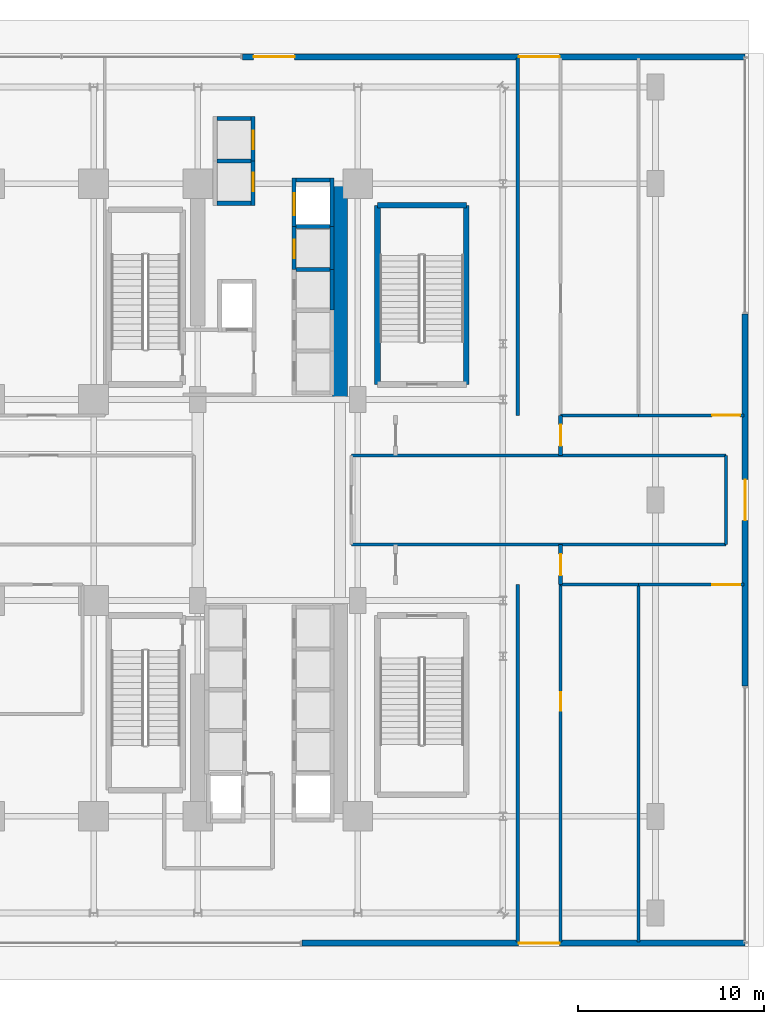
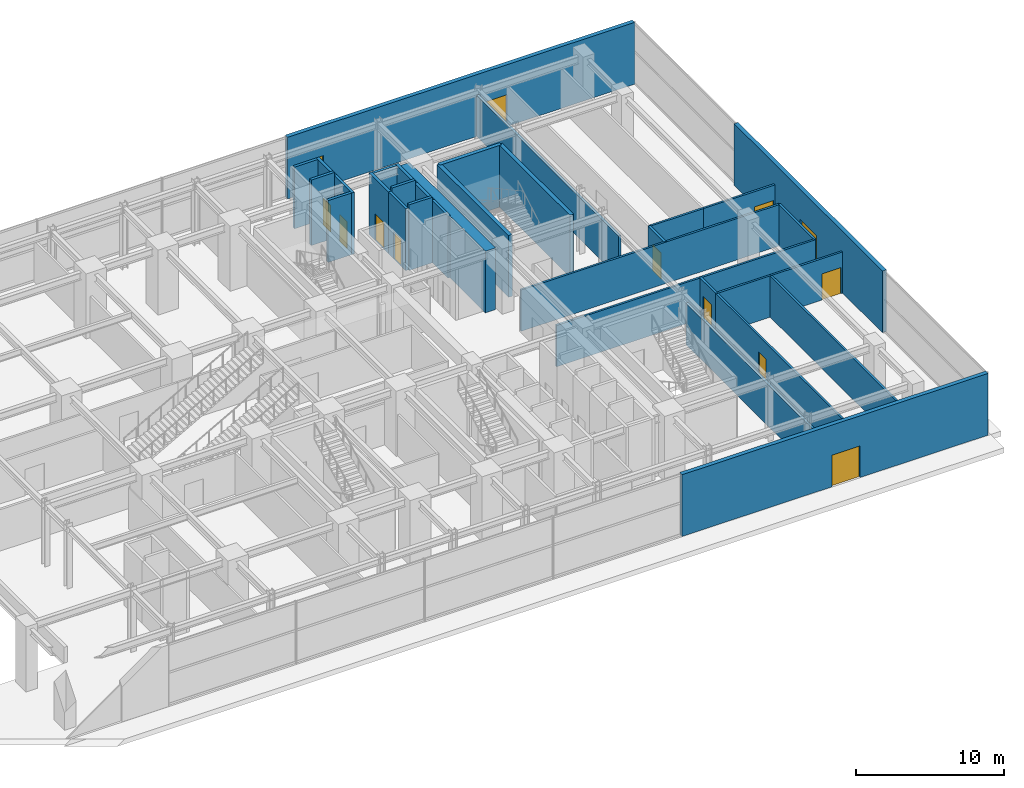
# One storey, part 25 of 29: 33 walls, 13 doors, 13 openings.
"""IFC4 building model written with IfcOpenShell, lengths in metres."""

from ifc_helpers import new_model, si_unit, direction, frame, frame_2d, origin, place, context, subcontext, project, spatial, rectangle, extrude, source, transform, mapped, material, layer, layer_set, type_object, element, fill, save


model = new_model("IFC4")

# Units and contexts
model_context = context("Model", 3, precision=1e-05, world=origin(), true_north=direction((0.0, 1.0)))
body_context = subcontext(model_context, "Body", "Model", "MODEL_VIEW")
ifc_project = project(units=[si_unit("LENGTHUNIT", "METRE"), si_unit("AREAUNIT", "SQUARE_METRE"), si_unit("VOLUMEUNIT", "CUBIC_METRE"), si_unit("PLANEANGLEUNIT", "RADIAN"), si_unit("MASSUNIT", "GRAM", prefix="KILO")], contexts=[model_context])

# Site, building, storey
site_placement = place(None, origin())
site = spatial("IfcSite", under=ifc_project, at=site_placement, CompositionType="ELEMENT")
building_placement = place(site_placement, origin())
building = spatial("IfcBuilding", under=site, at=building_placement, Name="Nahalor Promenade Grand Hotel", CompositionType="ELEMENT")
storey_placement = place(building_placement, origin())
storey = spatial("IfcBuildingStorey", under=building, at=storey_placement, Name="L00", CompositionType="ELEMENT", Elevation=0.0)

# Walls
ifc_material_1 = material(Name="Concrete B-70 (C60/75)", Category="concrete")
ifc_layer_1 = layer(ifc_material_1, 0.800048828125)
ifc_layer_set_1 = layer_set([ifc_layer_1], Name="Concrete B-70 (C60/75)")
wall_type_1 = type_object("IfcWallType", Name="Wall-CoreShear-800", PredefinedType="SHEAR", material=ifc_layer_set_1)
shared_shape_1 = source(origin(), body_context, "Body", "SweptSolid", [
    extrude(rectangle(XDim=11.60009765625, YDim=0.800048828125, at=frame_2d((5.800048828125, 0.0))), origin(), (0.0, 0.0, 1.0), 5.080078125),
])
wall_1_placement = place(storey_placement, frame((16.050048828125, 5.39990234375, 0.0), z_axis=(0.0, 0.0, 1.0), x_axis=(0.0, 1.0, 0.0)))
element("IfcWall", 1, at=wall_1_placement, inside=storey, type_object=wall_type_1, Name="CWALL-L00-NE", PredefinedType="SHEAR", context=body_context, shape_type="MappedRepresentation", body=[
    mapped(shared_shape_1, transform((0.0, 0.0, 0.0), scale=1.0)),
])
ifc_material_2 = material(Name="Concrete B-50 (C40/50)", Category="concrete")
ifc_layer_2 = layer(ifc_material_2, 0.300048828125)
ifc_layer_set_2 = layer_set([ifc_layer_2], Name="Concrete B-50 (C40/50)")
wall_type_2 = type_object("IfcWallType", Name="Wall-ShaftShear-300", PredefinedType="SHEAR", material=ifc_layer_set_2)
shared_shape_2 = source(origin(), body_context, "Body", "SweptSolid", [
    extrude(rectangle(XDim=4.780029296875, YDim=0.300048828125, at=frame_2d((2.39013671875, 0.0))), origin(), (0.0, 0.0, 1.0), 5.080078125),
])
wall_2_placement = place(storey_placement, frame((18.06005859375, 15.840087890625, 0.0), z_axis=(0.0, 0.0, 1.0), x_axis=(1.0, 0.0, 0.0)))
element("IfcWall", 2, at=wall_2_placement, inside=storey, type_object=wall_type_2, Name="L00 Exit Stair ST4 Shaft Wall N", PredefinedType="SHEAR", context=body_context, shape_type="MappedRepresentation", body=[
    mapped(shared_shape_2, transform((0.0, 0.0, 0.0), scale=1.0)),
])
shared_shape_3 = source(origin(), body_context, "Body", "SweptSolid", [
    extrude(rectangle(XDim=9.630126953125, YDim=0.300048828125, at=frame_2d((4.81494140625, 0.0))), origin(), (0.0, 0.0, 1.0), 5.080078125),
])
for number, where, z_axis, x_axis, name in (
    (3, (18.06005859375, 6.2099609375, 0.0), (0.0, 0.0, 1.0), (0.0, 1.0, 0.0), "L00 Exit Stair ST4 Shaft Wall W"),
    (4, (22.840087890625, 6.2099609375, 0.0), (0.0, 0.0, 1.0), (0.0, 1.0, 0.0), "L00 Exit Stair ST4 Shaft Wall E"),
):
    element("IfcWall", number, at=place(storey_placement, frame(where, z_axis=z_axis, x_axis=x_axis)), inside=storey, type_object=wall_type_2, Name=name, PredefinedType="SHEAR", context=body_context, shape_type="MappedRepresentation", body=[
        mapped(shared_shape_3, transform((0.0, 0.0, 0.0), scale=1.0)),
    ])
ifc_layer_3 = layer(ifc_material_2, 0.219970703125)
ifc_layer_set_3 = layer_set([ifc_layer_3], Name="Concrete B-50 (C40/50)")
wall_type_3 = type_object("IfcWallType", Name="Wall-LiftShaft-220", PredefinedType="SHEAR", material=ifc_layer_set_3)
shared_shape_4 = source(origin(), body_context, "Body", "SweptSolid", [
    extrude(rectangle(XDim=1.820068359375, YDim=0.219970703125, at=frame_2d((0.91015625, 0.0))), origin(), (0.0, 0.0, 1.0), 5.080078125),
])
for number, where, z_axis, x_axis, name in (
    (5, (9.43994140625, 15.949951171875, 0.0), (0.0, 0.0, 1.0), (1.0, 0.0, 0.0), "L00 Lift OB1 Hoistway Wall S"),
    (6, (9.43994140625, 20.5, 0.0), (0.0, 0.0, 1.0), (1.0, 0.0, 0.0), "L00 Lift OB2 Hoistway Wall N"),
    (7, (13.68994140625, 17.199951171875, 0.0), (0.0, 0.0, 1.0), (1.0, 0.0, 0.0), "L00 Lift SV1 Hoistway Wall N"),
):
    element("IfcWall", number, at=place(storey_placement, frame(where, z_axis=z_axis, x_axis=x_axis)), inside=storey, type_object=wall_type_3, Name=name, PredefinedType="SHEAR", context=body_context, shape_type="MappedRepresentation", body=[
        mapped(shared_shape_4, transform((0.0, 0.0, 0.0), scale=1.0)),
    ])
shared_shape_5 = source(origin(), body_context, "Body", "SweptSolid", [
    extrude(rectangle(XDim=1.820068359375, YDim=0.219970703125, at=frame_2d((0.91015625, 0.0))), origin(), (0.0, 0.0, 1.0), 5.39990234375),
])
for number, where, z_axis, x_axis, name in (
    (8, (13.68994140625, 12.39990234375, 0.0), (0.0, 0.0, 1.0), (1.0, 0.0, 0.0), "L00 Lift PL3 Hoistway Wall N"),
    (9, (13.68994140625, 14.699951171875, 0.0), (0.0, 0.0, 1.0), (1.0, 0.0, 0.0), "L00 Lift PL4 Hoistway Wall N"),
    (10, (9.43994140625, 18.22509765625, 0.0), (0.0, 0.0, 1.0), (1.0, 0.0, 0.0), "L00 Lift OB1 Hoistway Wall N"),
):
    element("IfcWall", number, at=place(storey_placement, frame(where, z_axis=z_axis, x_axis=x_axis)), inside=storey, type_object=wall_type_3, Name=name, PredefinedType="SHEAR", context=body_context, shape_type="MappedRepresentation", body=[
        mapped(shared_shape_5, transform((0.0, 0.0, 0.0), scale=1.0)),
    ])
shared_shape_6 = source(origin(), body_context, "Body", "SweptSolid", [
    extrude(rectangle(XDim=2.199951171875, YDim=0.219970703125, at=frame_2d((1.10009765625, 0.0))), origin(), (0.0, 0.0, 1.0), 5.080078125),
])
wall_3_placement = place(storey_placement, frame((15.6201171875, 10.199951171875, 0.0), z_axis=(0.0, 0.0, 1.0), x_axis=(0.0, 1.0, 0.0)))
element("IfcWall", 11, at=wall_3_placement, inside=storey, type_object=wall_type_3, Name="L00 Lift PL3 Hoistway Wall E", PredefinedType="SHEAR", context=body_context, shape_type="MappedRepresentation", body=[
    mapped(shared_shape_6, transform((0.0, 0.0, 0.0), scale=1.0)),
])

# Wall, opening, door
shared_shape_7 = source(origin(), body_context, "Body", "SweptSolid", [
    extrude(rectangle(XDim=2.300048828125, YDim=0.219970703125, at=frame_2d((1.14990234375, 0.0))), origin(), (0.0, 0.0, 1.0), 5.080078125),
])
wall_4_placement = place(storey_placement, frame((13.580078125, 12.39990234375, 0.0), z_axis=(0.0, 0.0, 1.0), x_axis=(0.0, 1.0, 0.0)))
wall_4 = element("IfcWall", 12, at=wall_4_placement, inside=storey, type_object=wall_type_3, Name="L00 Lift PL4 Hoistway Wall W", PredefinedType="SHEAR", context=body_context, shape_type="MappedRepresentation", body=[
    mapped(shared_shape_7, transform((0.0, 0.0, 0.0), scale=1.0)),
])
opening_1_placement = place(wall_4_placement, frame((0.60009765625, 0.0, 0.0)))
opening_1 = element("IfcOpeningElement", 13, at=opening_1_placement, cuts=wall_4, Name="Opening LD-01", PredefinedType="OPENING", context=body_context, shape_type="SweptSolid", body=[
    extrude(rectangle(XDim=1.0, YDim=2.199951171875, at=frame_2d((0.5, 1.10009765625))), frame((0.0, 0.119873046875, 0.0), z_axis=(0.0, -1.0, 0.0), x_axis=(1.0, 0.0, 0.0)), (0.0, 0.0, 1.0), 0.239990234375),
])
ifc_material_3 = material(Name="Steel S355JR", Category="steel")
door_type_1 = type_object("IfcDoorType", Name="Door-LiftLanding-1000", OperationType="DOUBLE_DOOR_SLIDING", PredefinedType="DOOR", material=ifc_material_3)
shared_shape_8 = source(origin(), body_context, "Body", "SweptSolid", [
    extrude(rectangle(XDim=1.0, YDim=2.199951171875, at=frame_2d((0.5, 1.10009765625))), frame((0.0, 0.02490234375, 0.0), z_axis=(0.0, -1.0, 0.0), x_axis=(1.0, 0.0, 0.0)), (0.0, 0.0, 1.0), 0.050048828125),
])
door_1_placement = place(opening_1_placement, origin())
door_1 = element("IfcDoor", 14, at=door_1_placement, inside=storey, type_object=door_type_1, Name="DR-LIFT-PL4-L00", OperationType="DOUBLE_DOOR_SLIDING", OverallHeight=2.199951171875, OverallWidth=1.0, PredefinedType="DOOR", context=body_context, shape_type="MappedRepresentation", body=[
    mapped(shared_shape_8, transform((0.0, 0.0, 0.0), scale=1.0)),
])
fill(opening_1, door_1)

# Wall
wall_5_placement = place(storey_placement, frame((15.6201171875, 12.39990234375, 0.0), z_axis=(0.0, 0.0, 1.0), x_axis=(0.0, 1.0, 0.0)))
element("IfcWall", 15, at=wall_5_placement, inside=storey, type_object=wall_type_3, Name="L00 Lift PL4 Hoistway Wall E", PredefinedType="SHEAR", context=body_context, shape_type="MappedRepresentation", body=[
    mapped(shared_shape_7, transform((0.0, 0.0, 0.0), scale=1.0)),
])

# Wall, opening, door
shared_shape_9 = source(origin(), body_context, "Body", "SweptSolid", [
    extrude(rectangle(XDim=2.385009765625, YDim=0.219970703125, at=frame_2d((1.1923828125, 0.0))), origin(), (0.0, 0.0, 1.0), 5.080078125),
])
wall_6_placement = place(storey_placement, frame((11.3701171875, 15.840087890625, 0.0), z_axis=(0.0, 0.0, 1.0), x_axis=(0.0, 1.0, 0.0)))
wall_6 = element("IfcWall", 16, at=wall_6_placement, inside=storey, type_object=wall_type_3, Name="L00 Lift OB1 Hoistway Wall E", PredefinedType="SHEAR", context=body_context, shape_type="MappedRepresentation", body=[
    mapped(shared_shape_9, transform((0.0, 0.0, 0.0), scale=1.0)),
])
opening_2_placement = place(wall_6_placement, frame((0.760009765625, 0.0, 0.0)))
opening_2 = element("IfcOpeningElement", 17, at=opening_2_placement, cuts=wall_6, Name="Opening LD-01", PredefinedType="OPENING", context=body_context, shape_type="SweptSolid", body=[
    extrude(rectangle(XDim=1.0, YDim=2.199951171875, at=frame_2d((0.5, 1.10009765625))), frame((0.0, 0.119873046875, 0.0), z_axis=(0.0, -1.0, 0.0), x_axis=(1.0, 0.0, 0.0)), (0.0, 0.0, 1.0), 0.239990234375),
])
door_2_placement = place(opening_2_placement, frame((1.0, 0.0, 0.0), z_axis=(0.0, 0.0, 1.0), x_axis=(-1.0, 0.0, 0.0)))
door_2 = element("IfcDoor", 18, at=door_2_placement, inside=storey, type_object=door_type_1, Name="DR-LIFT-OB1-L00", OperationType="DOUBLE_DOOR_SLIDING", OverallHeight=2.199951171875, OverallWidth=1.0, PredefinedType="DOOR", context=body_context, shape_type="MappedRepresentation", body=[
    mapped(shared_shape_8, transform((0.0, 0.0, 0.0), scale=1.0)),
])
fill(opening_2, door_2)

wall_7_placement = place(storey_placement, frame((11.3701171875, 18.22509765625, 0.0), z_axis=(0.0, 0.0, 1.0), x_axis=(0.0, 1.0, 0.0)))
wall_7 = element("IfcWall", 19, at=wall_7_placement, inside=storey, type_object=wall_type_3, Name="L00 Lift OB2 Hoistway Wall E", PredefinedType="SHEAR", context=body_context, shape_type="MappedRepresentation", body=[
    mapped(shared_shape_9, transform((0.0, 0.0, 0.0), scale=1.0)),
])
opening_3_placement = place(wall_7_placement, frame((0.625, 0.0, 0.0)))
opening_3 = element("IfcOpeningElement", 20, at=opening_3_placement, cuts=wall_7, Name="Opening LD-01", PredefinedType="OPENING", context=body_context, shape_type="SweptSolid", body=[
    extrude(rectangle(XDim=1.0, YDim=2.199951171875, at=frame_2d((0.5, 1.10009765625))), frame((0.0, 0.119873046875, 0.0), z_axis=(0.0, -1.0, 0.0), x_axis=(1.0, 0.0, 0.0)), (0.0, 0.0, 1.0), 0.239990234375),
])
door_3_placement = place(opening_3_placement, frame((1.0, 0.0, 0.0), z_axis=(0.0, 0.0, 1.0), x_axis=(-1.0, 0.0, 0.0)))
door_3 = element("IfcDoor", 21, at=door_3_placement, inside=storey, type_object=door_type_1, Name="DR-LIFT-OB2-L00", OperationType="DOUBLE_DOOR_SLIDING", OverallHeight=2.199951171875, OverallWidth=1.0, PredefinedType="DOOR", context=body_context, shape_type="MappedRepresentation", body=[
    mapped(shared_shape_8, transform((0.0, 0.0, 0.0), scale=1.0)),
])
fill(opening_3, door_3)

shared_shape_10 = source(origin(), body_context, "Body", "SweptSolid", [
    extrude(rectangle(XDim=2.610107421875, YDim=0.219970703125, at=frame_2d((1.30517578125, 0.0))), origin(), (0.0, 0.0, 1.0), 5.080078125),
])
wall_8_placement = place(storey_placement, frame((13.580078125, 14.699951171875, 0.0), z_axis=(0.0, 0.0, 1.0), x_axis=(0.0, 1.0, 0.0)))
wall_8 = element("IfcWall", 22, at=wall_8_placement, inside=storey, type_object=wall_type_3, Name="L00 Lift SV1 Hoistway Wall W", PredefinedType="SHEAR", context=body_context, shape_type="MappedRepresentation", body=[
    mapped(shared_shape_10, transform((0.0, 0.0, 0.0), scale=1.0)),
])
opening_4_placement = place(wall_8_placement, frame((0.60009765625, 0.0, 0.0)))
opening_4 = element("IfcOpeningElement", 23, at=opening_4_placement, cuts=wall_8, Name="Opening LD-03", PredefinedType="OPENING", context=body_context, shape_type="SweptSolid", body=[
    extrude(rectangle(XDim=1.199951171875, YDim=2.199951171875, at=frame_2d((0.60009765625, 1.10009765625))), frame((0.0, 0.119873046875, 0.0), z_axis=(0.0, -1.0, 0.0), x_axis=(1.0, 0.0, 0.0)), (0.0, 0.0, 1.0), 0.239990234375),
])
door_type_2 = type_object("IfcDoorType", Name="Door-LiftService-1200", OperationType="DOUBLE_DOOR_SLIDING", PredefinedType="DOOR", material=ifc_material_3)
shared_shape_11 = source(origin(), body_context, "Body", "SweptSolid", [
    extrude(rectangle(XDim=1.199951171875, YDim=2.199951171875, at=frame_2d((0.60009765625, 1.10009765625))), frame((0.0, 0.02490234375, 0.0), z_axis=(0.0, -1.0, 0.0), x_axis=(1.0, 0.0, 0.0)), (0.0, 0.0, 1.0), 0.050048828125),
])
door_4_placement = place(opening_4_placement, origin())
door_4 = element("IfcDoor", 24, at=door_4_placement, inside=storey, type_object=door_type_2, Name="DR-LIFT-SV1-L00", OperationType="DOUBLE_DOOR_SLIDING", OverallHeight=2.199951171875, OverallWidth=1.199951171875, PredefinedType="DOOR", context=body_context, shape_type="MappedRepresentation", body=[
    mapped(shared_shape_11, transform((0.0, 0.0, 0.0), scale=1.0)),
])
fill(opening_4, door_4)

# Wall
wall_9_placement = place(storey_placement, frame((15.6201171875, 14.699951171875, 0.0), z_axis=(0.0, 0.0, 1.0), x_axis=(0.0, 1.0, 0.0)))
element("IfcWall", 25, at=wall_9_placement, inside=storey, type_object=wall_type_3, Name="L00 Lift SV1 Hoistway Wall E", PredefinedType="SHEAR", context=body_context, shape_type="MappedRepresentation", body=[
    mapped(shared_shape_10, transform((0.0, 0.0, 0.0), scale=1.0)),
])

# Wall, opening, door
ifc_material_4 = material(Name="Concrete B-40 (C32/40)", Category="concrete")
ifc_layer_4 = layer(ifc_material_4, 0.320068359375)
ifc_layer_set_4 = layer_set([ifc_layer_4], Name="Concrete B-40 (C32/40)")
wall_type_4 = type_object("IfcWallType", Name="Wall-LimestonePier-320", PredefinedType="STANDARD", material=ifc_layer_set_4)
shared_shape_12 = source(origin(), body_context, "Body", "SweptSolid", [
    extrude(rectangle(XDim=23.820068359375, YDim=0.320068359375, at=frame_2d((11.91015625, 0.0))), origin(), (0.0, 0.0, 1.0), 5.080078125),
])
wall_10_placement = place(storey_placement, frame((14.0, -23.820068359375, 0.0), z_axis=(0.0, 0.0, 1.0), x_axis=(1.0, 0.0, 0.0)))
wall_10 = element("IfcWall", 26, at=wall_10_placement, inside=storey, type_object=wall_type_4, Name="W-L00-S2", PredefinedType="STANDARD", context=body_context, shape_type="MappedRepresentation", body=[
    mapped(shared_shape_12, transform((0.0, 0.0, 0.0), scale=1.0)),
])
opening_5_placement = place(wall_10_placement, frame((11.64990234375, 0.0, 0.0)))
opening_5 = element("IfcOpeningElement", 27, at=opening_5_placement, cuts=wall_10, Name="Opening ED-01", PredefinedType="OPENING", context=body_context, shape_type="SweptSolid", body=[
    extrude(rectangle(XDim=2.199951171875, YDim=2.60009765625, at=frame_2d((1.10009765625, 1.300048828125))), frame((0.0, 0.169921875, 0.0), z_axis=(0.0, -1.0, 0.0), x_axis=(1.0, 0.0, 0.0)), (0.0, 0.0, 1.0), 0.340087890625),
])
ifc_material_5 = material(Name="Anodised Bronze Aluminium EN AW-6063 T6", Category="aluminium")
door_type_3 = type_object("IfcDoorType", Name="Door-GrandExit-2200", OperationType="DOUBLE_DOOR_SINGLE_SWING", PredefinedType="DOOR", material=ifc_material_5)
shared_shape_13 = source(origin(), body_context, "Body", "SweptSolid", [
    extrude(rectangle(XDim=2.199951171875, YDim=2.60009765625, at=frame_2d((1.10009765625, 1.300048828125))), frame((0.0, 0.02490234375, 0.0), z_axis=(0.0, -1.0, 0.0), x_axis=(1.0, 0.0, 0.0)), (0.0, 0.0, 1.0), 0.050048828125),
])
door_5_placement = place(opening_5_placement, frame((2.199951171875, 0.0, 0.0), z_axis=(0.0, 0.0, 1.0), x_axis=(-1.0, 0.0, 0.0)))
door_5 = element("IfcDoor", 28, at=door_5_placement, inside=storey, type_object=door_type_3, Name="DR-L00-ED01", OperationType="DOUBLE_DOOR_SINGLE_SWING", OverallHeight=2.60009765625, OverallWidth=2.199951171875, PredefinedType="DOOR", context=body_context, shape_type="MappedRepresentation", body=[
    mapped(shared_shape_13, transform((0.0, 0.0, 0.0), scale=1.0)),
])
fill(opening_5, door_5)

# Wall, openings, doors
shared_shape_14 = source(origin(), body_context, "Body", "SweptSolid", [
    extrude(rectangle(XDim=27.02001953125, YDim=0.320068359375, at=frame_2d((13.510009765625, 0.0))), origin(), (0.0, 0.0, 1.0), 5.080078125),
])
wall_11_placement = place(storey_placement, frame((10.800048828125, 23.820068359375, 0.0), z_axis=(0.0, 0.0, 1.0), x_axis=(1.0, 0.0, 0.0)))
wall_11 = element("IfcWall", 29, at=wall_11_placement, inside=storey, type_object=wall_type_4, Name="W-L00-N2", PredefinedType="STANDARD", context=body_context, shape_type="MappedRepresentation", body=[
    mapped(shared_shape_14, transform((0.0, 0.0, 0.0), scale=1.0)),
])
opening_6_placement = place(wall_11_placement, frame((0.60009765625, 0.0, 0.0)))
opening_6 = element("IfcOpeningElement", 30, at=opening_6_placement, cuts=wall_11, Name="Opening ED-01", PredefinedType="OPENING", context=body_context, shape_type="SweptSolid", body=[
    extrude(rectangle(XDim=2.199951171875, YDim=2.60009765625, at=frame_2d((1.10009765625, 1.300048828125))), frame((0.0, 0.169921875, 0.0), z_axis=(0.0, -1.0, 0.0), x_axis=(1.0, 0.0, 0.0)), (0.0, 0.0, 1.0), 0.340087890625),
])
opening_7_placement = place(wall_11_placement, frame((14.85009765625, 0.0, 0.0)))
opening_7 = element("IfcOpeningElement", 31, at=opening_7_placement, cuts=wall_11, Name="Opening ED-01", PredefinedType="OPENING", context=body_context, shape_type="SweptSolid", body=[
    extrude(rectangle(XDim=2.199951171875, YDim=2.60009765625, at=frame_2d((1.10009765625, 1.300048828125))), frame((0.0, 0.169921875, 0.0), z_axis=(0.0, -1.0, 0.0), x_axis=(1.0, 0.0, 0.0)), (0.0, 0.0, 1.0), 0.340087890625),
])
door_6_placement = place(opening_6_placement, origin())
door_6 = element("IfcDoor", 32, at=door_6_placement, inside=storey, type_object=door_type_3, Name="DR-L00-ED03", OperationType="DOUBLE_DOOR_SINGLE_SWING", OverallHeight=2.60009765625, OverallWidth=2.199951171875, PredefinedType="DOOR", context=body_context, shape_type="MappedRepresentation", body=[
    mapped(shared_shape_13, transform((0.0, 0.0, 0.0), scale=1.0)),
])
fill(opening_6, door_6)
door_7_placement = place(opening_7_placement, origin())
door_7 = element("IfcDoor", 33, at=door_7_placement, inside=storey, type_object=door_type_3, Name="DR-L00-ED04", OperationType="DOUBLE_DOOR_SINGLE_SWING", OverallHeight=2.60009765625, OverallWidth=2.199951171875, PredefinedType="DOOR", context=body_context, shape_type="MappedRepresentation", body=[
    mapped(shared_shape_13, transform((0.0, 0.0, 0.0), scale=1.0)),
])
fill(opening_7, door_7)

# Wall, opening, door
shared_shape_15 = source(origin(), body_context, "Body", "SweptSolid", [
    extrude(rectangle(XDim=20.0, YDim=0.320068359375, at=frame_2d((10.0, 0.0))), origin(), (0.0, 0.0, 1.0), 5.080078125),
])
wall_12_placement = place(storey_placement, frame((37.820068359375, -10.0, 0.0), z_axis=(0.0, 0.0, 1.0), x_axis=(0.0, 1.0, 0.0)))
wall_12 = element("IfcWall", 34, at=wall_12_placement, inside=storey, type_object=wall_type_4, Name="W-L00-EM", PredefinedType="STANDARD", context=body_context, shape_type="MappedRepresentation", body=[
    mapped(shared_shape_15, transform((0.0, 0.0, 0.0), scale=1.0)),
])
opening_8_placement = place(wall_12_placement, frame((8.89990234375, 0.0, 0.0)))
opening_8 = element("IfcOpeningElement", 35, at=opening_8_placement, cuts=wall_12, Name="Opening ED-01", PredefinedType="OPENING", context=body_context, shape_type="SweptSolid", body=[
    extrude(rectangle(XDim=2.199951171875, YDim=2.60009765625, at=frame_2d((1.10009765625, 1.300048828125))), frame((0.0, 0.169921875, 0.0), z_axis=(0.0, -1.0, 0.0), x_axis=(1.0, 0.0, 0.0)), (0.0, 0.0, 1.0), 0.340087890625),
])
door_8_placement = place(opening_8_placement, frame((2.199951171875, 0.0, 0.0), z_axis=(0.0, 0.0, 1.0), x_axis=(-1.0, 0.0, 0.0)))
door_8 = element("IfcDoor", 36, at=door_8_placement, inside=storey, type_object=door_type_3, Name="DR-L00-ED06", OperationType="DOUBLE_DOOR_SINGLE_SWING", OverallHeight=2.60009765625, OverallWidth=2.199951171875, PredefinedType="DOOR", context=body_context, shape_type="MappedRepresentation", body=[
    mapped(shared_shape_13, transform((0.0, 0.0, 0.0), scale=1.0)),
])
fill(opening_8, door_8)

ifc_layer_5 = layer(ifc_material_4, 0.199951171875)
ifc_layer_set_5 = layer_set([ifc_layer_5], Name="Concrete B-40 (C32/40)")
wall_type_5 = type_object("IfcWallType", Name="Wall-PartFire-200", PredefinedType="PARTITIONING", material=ifc_layer_set_5)
shared_shape_16 = source(origin(), body_context, "Body", "SweptSolid", [
    extrude(rectangle(XDim=2.150146484375, YDim=0.199951171875, at=frame_2d((1.0751953125, 0.0))), origin(), (0.0, 0.0, 1.0), 3.39990234375),
])
wall_13_placement = place(storey_placement, frame((27.89990234375, 2.39990234375, 0.0), z_axis=(0.0, 0.0, 1.0), x_axis=(0.0, 1.0, 0.0)))
wall_13 = element("IfcWall", 37, at=wall_13_placement, inside=storey, type_object=wall_type_5, Name="W-L00-EXST4-ES", PredefinedType="PARTITIONING", context=body_context, shape_type="MappedRepresentation", body=[
    mapped(shared_shape_16, transform((0.0, 0.0, 0.0), scale=1.0)),
])
opening_9_placement = place(wall_13_placement, frame((0.5048828125, 0.0, 0.0)))
opening_9 = element("IfcOpeningElement", 38, at=opening_9_placement, cuts=wall_13, Name="Opening D-FF1", PredefinedType="OPENING", context=body_context, shape_type="SweptSolid", body=[
    extrude(rectangle(XDim=1.14990234375, YDim=2.14990234375, at=frame_2d((0.574951171875, 1.074951171875))), frame((0.0, 0.10986328125, 0.0), z_axis=(0.0, -1.0, 0.0), x_axis=(1.0, 0.0, 0.0)), (0.0, 0.0, 1.0), 0.219970703125),
])
door_type_4 = type_object("IfcDoorType", Name="Door-FFLobby-1150", OperationType="NOTDEFINED", PredefinedType="DOOR", material=ifc_material_3)
shared_shape_17 = source(origin(), body_context, "Body", "SweptSolid", [
    extrude(rectangle(XDim=1.14990234375, YDim=2.14990234375, at=frame_2d((0.574951171875, 1.074951171875))), frame((0.0, 0.02490234375, 0.0), z_axis=(0.0, -1.0, 0.0), x_axis=(1.0, 0.0, 0.0)), (0.0, 0.0, 1.0), 0.050048828125),
])
door_9_placement = place(opening_9_placement, origin())
door_9 = element("IfcDoor", 39, at=door_9_placement, inside=storey, type_object=door_type_4, Name="DR-L00-EXST4-OUTE", OperationType="SINGLE_SWING_RIGHT", OverallHeight=2.14990234375, OverallWidth=1.14990234375, PredefinedType="DOOR", context=body_context, shape_type="MappedRepresentation", body=[
    mapped(shared_shape_17, transform((0.0, 0.0, 0.0), scale=1.0)),
])
fill(opening_9, door_9)

wall_14_placement = place(storey_placement, frame((27.89990234375, -4.550048828125, 0.0), z_axis=(0.0, 0.0, 1.0), x_axis=(0.0, 1.0, 0.0)))
wall_14 = element("IfcWall", 40, at=wall_14_placement, inside=storey, type_object=wall_type_5, Name="W-L00-EXST5-EN", PredefinedType="PARTITIONING", context=body_context, shape_type="MappedRepresentation", body=[
    mapped(shared_shape_16, transform((0.0, 0.0, 0.0), scale=1.0)),
])
opening_10_placement = place(wall_14_placement, frame((0.4951171875, 0.0, 0.0)))
opening_10 = element("IfcOpeningElement", 41, at=opening_10_placement, cuts=wall_14, Name="Opening D-FF1", PredefinedType="OPENING", context=body_context, shape_type="SweptSolid", body=[
    extrude(rectangle(XDim=1.14990234375, YDim=2.14990234375, at=frame_2d((0.574951171875, 1.074951171875))), frame((0.0, 0.10986328125, 0.0), z_axis=(0.0, -1.0, 0.0), x_axis=(1.0, 0.0, 0.0)), (0.0, 0.0, 1.0), 0.219970703125),
])
door_10_placement = place(opening_10_placement, origin())
door_10 = element("IfcDoor", 42, at=door_10_placement, inside=storey, type_object=door_type_4, Name="DR-L00-EXST5-OUTE", OperationType="SINGLE_SWING_RIGHT", OverallHeight=2.14990234375, OverallWidth=1.14990234375, PredefinedType="DOOR", context=body_context, shape_type="MappedRepresentation", body=[
    mapped(shared_shape_17, transform((0.0, 0.0, 0.0), scale=1.0)),
])
fill(opening_10, door_10)

# Walls
shared_shape_18 = source(origin(), body_context, "Body", "SweptSolid", [
    extrude(rectangle(XDim=19.2099609375, YDim=0.199951171875, at=frame_2d((9.60498046875, 0.0))), origin(), (0.0, 0.0, 1.0), 3.39990234375),
])
for number, where, z_axis, x_axis, name in (
    (43, (25.60009765625, 4.550048828125, 0.0), (0.0, 0.0, 1.0), (0.0, 1.0, 0.0), "W-L00-EXST4-WN"),
    (44, (25.60009765625, -23.760009765625, 0.0), (0.0, 0.0, 1.0), (0.0, 1.0, 0.0), "W-L00-EXST5-WS"),
):
    element("IfcWall", number, at=place(storey_placement, frame(where, z_axis=z_axis, x_axis=x_axis)), inside=storey, type_object=wall_type_5, Name=name, PredefinedType="PARTITIONING", context=body_context, shape_type="MappedRepresentation", body=[
        mapped(shared_shape_18, transform((0.0, 0.0, 0.0), scale=1.0)),
    ])
ifc_material_6 = material(Name="Acoustic Mineral Gypsum", Category="gypsum")
ifc_layer_6 = layer(ifc_material_6, 0.159912109375)
ifc_layer_set_6 = layer_set([ifc_layer_6], Name="Acoustic Mineral Gypsum")
wall_type_6 = type_object("IfcWallType", Name="Wall-PartCorridor-160", PredefinedType="PARTITIONING", material=ifc_layer_set_6)
shared_shape_19 = source(origin(), body_context, "Body", "SweptSolid", [
    extrude(rectangle(XDim=4.7998046875, YDim=0.159912109375, at=frame_2d((2.39990234375, 0.0))), origin(), (0.0, 0.0, 1.0), 3.39990234375),
])
wall_15_placement = place(storey_placement, frame((36.800048828125, -2.39990234375, 0.0), z_axis=(0.0, 0.0, 1.0), x_axis=(0.0, 1.0, 0.0)))
element("IfcWall", 45, at=wall_15_placement, inside=storey, type_object=wall_type_6, Name="W-L00-PR03-E", PredefinedType="PARTITIONING", context=body_context, shape_type="MappedRepresentation", body=[
    mapped(shared_shape_19, transform((0.0, 0.0, 0.0), scale=1.0)),
])
shared_shape_20 = source(origin(), body_context, "Body", "SweptSolid", [
    extrude(rectangle(XDim=20.150146484375, YDim=0.159912109375, at=frame_2d((10.0751953125, 0.0))), origin(), (0.0, 0.0, 1.0), 3.39990234375),
])
for number, where, z_axis, x_axis, name in (
    (46, (16.64990234375, -2.39990234375, 0.0), (0.0, 0.0, 1.0), (1.0, 0.0, 0.0), "W-L00-PR03-S"),
    (47, (16.64990234375, 2.39990234375, 0.0), (0.0, 0.0, 1.0), (1.0, 0.0, 0.0), "W-L00-PR03-N"),
):
    element("IfcWall", number, at=place(storey_placement, frame(where, z_axis=z_axis, x_axis=x_axis)), inside=storey, type_object=wall_type_6, Name=name, PredefinedType="PARTITIONING", context=body_context, shape_type="MappedRepresentation", body=[
        mapped(shared_shape_20, transform((0.0, 0.0, 0.0), scale=1.0)),
    ])

# Wall, opening, door
shared_shape_21 = source(origin(), body_context, "Body", "SweptSolid", [
    extrude(rectangle(XDim=19.2099609375, YDim=0.159912109375, at=frame_2d((9.60498046875, 0.0))), origin(), (0.0, 0.0, 1.0), 3.39990234375),
])
wall_16_placement = place(storey_placement, frame((27.89990234375, -23.760009765625, 0.0), z_axis=(0.0, 0.0, 1.0), x_axis=(0.0, 1.0, 0.0)))
wall_16 = element("IfcWall", 48, at=wall_16_placement, inside=storey, type_object=wall_type_6, Name="W-L00-PR09-W", PredefinedType="PARTITIONING", context=body_context, shape_type="MappedRepresentation", body=[
    mapped(shared_shape_21, transform((0.0, 0.0, 0.0), scale=1.0)),
])
opening_11_placement = place(wall_16_placement, frame((12.43896484375, 0.0, 0.0)))
opening_11 = element("IfcOpeningElement", 49, at=opening_11_placement, cuts=wall_16, Name="Opening D-05", PredefinedType="OPENING", context=body_context, shape_type="SweptSolid", body=[
    extrude(rectangle(XDim=0.97998046875, YDim=2.10009765625, at=frame_2d((0.489990234375, 1.050048828125))), frame((0.0, 0.08984375, 0.0), z_axis=(0.0, -1.0, 0.0), x_axis=(1.0, 0.0, 0.0)), (0.0, 0.0, 1.0), 0.179931640625),
])
ifc_material_7 = material(Name="Fire-Rated Timber Composite", Category="wood")
door_type_5 = type_object("IfcDoorType", Name="Door-AccessibleWC-980", OperationType="NOTDEFINED", PredefinedType="DOOR", material=ifc_material_7)
shared_shape_22 = source(origin(), body_context, "Body", "SweptSolid", [
    extrude(rectangle(XDim=0.97998046875, YDim=2.10009765625, at=frame_2d((0.489990234375, 1.050048828125))), frame((0.0, 0.02490234375, 0.0), z_axis=(0.0, -1.0, 0.0), x_axis=(1.0, 0.0, 0.0)), (0.0, 0.0, 1.0), 0.050048828125),
])
door_11_placement = place(opening_11_placement, frame((0.97998046875, 0.0, 0.0), z_axis=(0.0, 0.0, 1.0), x_axis=(-1.0, 0.0, 0.0)))
door_11 = element("IfcDoor", 50, at=door_11_placement, inside=storey, type_object=door_type_5, Name="DR-L00-PR09", OperationType="SINGLE_SWING_LEFT", OverallHeight=2.10009765625, OverallWidth=0.97998046875, PredefinedType="DOOR", context=body_context, shape_type="MappedRepresentation", body=[
    mapped(shared_shape_22, transform((0.0, 0.0, 0.0), scale=1.0)),
])
fill(opening_11, door_11)

# Walls
wall_17_placement = place(storey_placement, frame((32.10009765625, -23.760009765625, 0.0), z_axis=(0.0, 0.0, 1.0), x_axis=(0.0, 1.0, 0.0)))
element("IfcWall", 51, at=wall_17_placement, inside=storey, type_object=wall_type_6, Name="W-L00-PR09-E", PredefinedType="PARTITIONING", context=body_context, shape_type="MappedRepresentation", body=[
    mapped(shared_shape_21, transform((0.0, 0.0, 0.0), scale=1.0)),
])
shared_shape_23 = source(origin(), body_context, "Body", "SweptSolid", [
    extrude(rectangle(XDim=4.2001953125, YDim=0.159912109375, at=frame_2d((2.10009765625, 0.0))), origin(), (0.0, 0.0, 1.0), 3.39990234375),
])
for number, where, z_axis, x_axis, name in (
    (52, (27.89990234375, 4.550048828125, 0.0), (0.0, 0.0, 1.0), (1.0, 0.0, 0.0), "W-L00-PR06-S"),
    (53, (27.89990234375, -4.550048828125, 0.0), (0.0, 0.0, 1.0), (1.0, 0.0, 0.0), "W-L00-PR09-N"),
):
    element("IfcWall", number, at=place(storey_placement, frame(where, z_axis=z_axis, x_axis=x_axis)), inside=storey, type_object=wall_type_6, Name=name, PredefinedType="PARTITIONING", context=body_context, shape_type="MappedRepresentation", body=[
        mapped(shared_shape_23, transform((0.0, 0.0, 0.0), scale=1.0)),
    ])

# Wall, opening, door
shared_shape_24 = source(origin(), body_context, "Body", "SweptSolid", [
    extrude(rectangle(XDim=5.659912109375, YDim=0.159912109375, at=frame_2d((2.830078125, 0.0))), origin(), (0.0, 0.0, 1.0), 3.39990234375),
])
wall_18_placement = place(storey_placement, frame((32.10009765625, 4.550048828125, 0.0), z_axis=(0.0, 0.0, 1.0), x_axis=(1.0, 0.0, 0.0)))
wall_18 = element("IfcWall", 54, at=wall_18_placement, inside=storey, type_object=wall_type_6, Name="W-L00-PR07-S", PredefinedType="PARTITIONING", context=body_context, shape_type="MappedRepresentation", body=[
    mapped(shared_shape_24, transform((0.0, 0.0, 0.0), scale=1.0)),
])
opening_12_placement = place(wall_18_placement, frame((3.945068359375, 0.0, 0.0)))
opening_12 = element("IfcOpeningElement", 55, at=opening_12_placement, cuts=wall_18, Name="Opening D-02", PredefinedType="OPENING", context=body_context, shape_type="SweptSolid", body=[
    extrude(rectangle(XDim=1.5, YDim=2.14990234375, at=frame_2d((0.75, 1.074951171875))), frame((0.0, 0.08984375, 0.0), z_axis=(0.0, -1.0, 0.0), x_axis=(1.0, 0.0, 0.0)), (0.0, 0.0, 1.0), 0.179931640625),
])
door_type_6 = type_object("IfcDoorType", Name="Door-SuiteDouble-1500", OperationType="DOUBLE_DOOR_SINGLE_SWING", PredefinedType="DOOR", material=ifc_material_7)
shared_shape_25 = source(origin(), body_context, "Body", "SweptSolid", [
    extrude(rectangle(XDim=1.5, YDim=2.14990234375, at=frame_2d((0.75, 1.074951171875))), frame((0.0, 0.02490234375, 0.0), z_axis=(0.0, -1.0, 0.0), x_axis=(1.0, 0.0, 0.0)), (0.0, 0.0, 1.0), 0.050048828125),
])
door_12_placement = place(opening_12_placement, origin())
door_12 = element("IfcDoor", 56, at=door_12_placement, inside=storey, type_object=door_type_6, Name="DR-L00-PR07", OperationType="DOUBLE_DOOR_SINGLE_SWING", OverallHeight=2.14990234375, OverallWidth=1.5, PredefinedType="DOOR", context=body_context, shape_type="MappedRepresentation", body=[
    mapped(shared_shape_25, transform((0.0, 0.0, 0.0), scale=1.0)),
])
fill(opening_12, door_12)

wall_19_placement = place(storey_placement, frame((32.10009765625, -4.550048828125, 0.0), z_axis=(0.0, 0.0, 1.0), x_axis=(1.0, 0.0, 0.0)))
wall_19 = element("IfcWall", 57, at=wall_19_placement, inside=storey, type_object=wall_type_6, Name="W-L00-PR11-N", PredefinedType="PARTITIONING", context=body_context, shape_type="MappedRepresentation", body=[
    mapped(shared_shape_24, transform((0.0, 0.0, 0.0), scale=1.0)),
])
opening_13_placement = place(wall_19_placement, frame((3.945068359375, 0.0, 0.0)))
opening_13 = element("IfcOpeningElement", 58, at=opening_13_placement, cuts=wall_19, Name="Opening D-02", PredefinedType="OPENING", context=body_context, shape_type="SweptSolid", body=[
    extrude(rectangle(XDim=1.5, YDim=2.14990234375, at=frame_2d((0.75, 1.074951171875))), frame((0.0, 0.08984375, 0.0), z_axis=(0.0, -1.0, 0.0), x_axis=(1.0, 0.0, 0.0)), (0.0, 0.0, 1.0), 0.179931640625),
])
door_13_placement = place(opening_13_placement, frame((1.5, 0.0, 0.0), z_axis=(0.0, 0.0, 1.0), x_axis=(-1.0, 0.0, 0.0)))
door_13 = element("IfcDoor", 59, at=door_13_placement, inside=storey, type_object=door_type_6, Name="DR-L00-PR11", OperationType="DOUBLE_DOOR_SINGLE_SWING", OverallHeight=2.14990234375, OverallWidth=1.5, PredefinedType="DOOR", context=body_context, shape_type="MappedRepresentation", body=[
    mapped(shared_shape_25, transform((0.0, 0.0, 0.0), scale=1.0)),
])
fill(opening_13, door_13)

save(model, "model.ifc")
